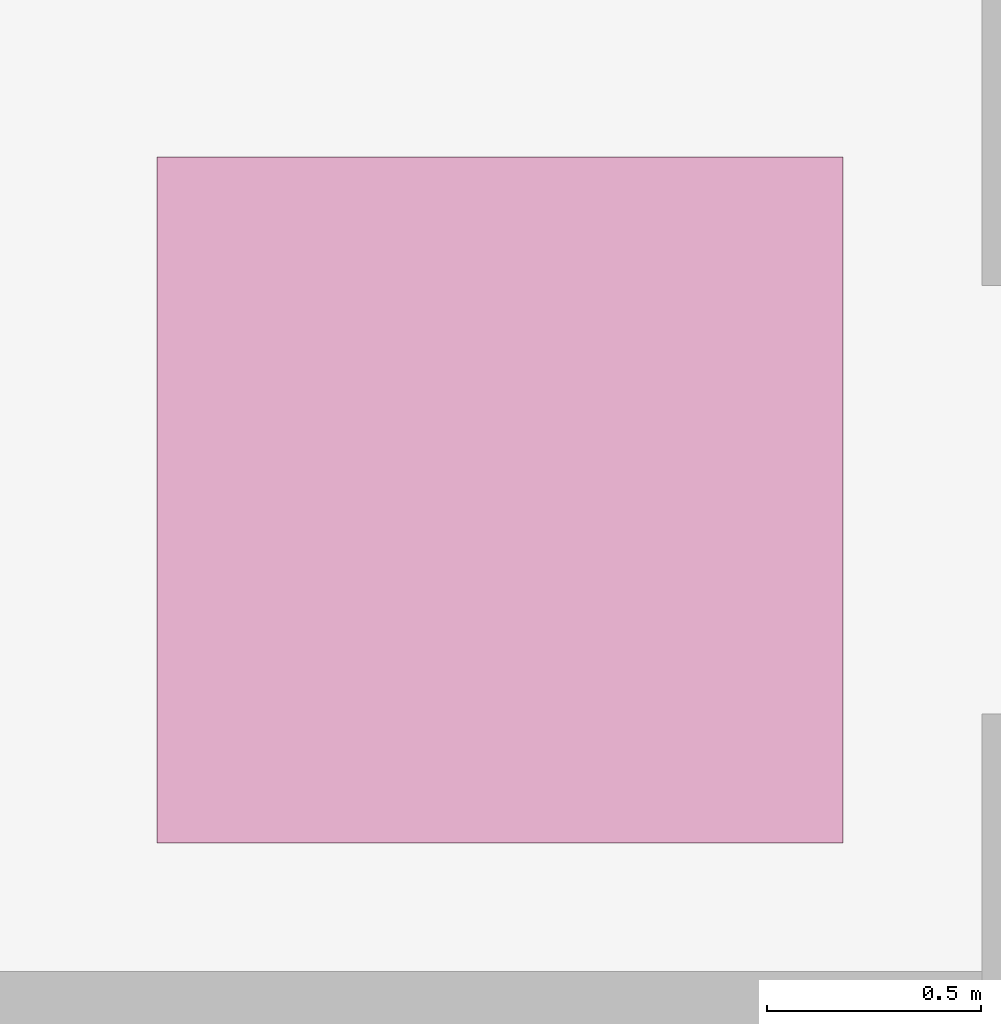
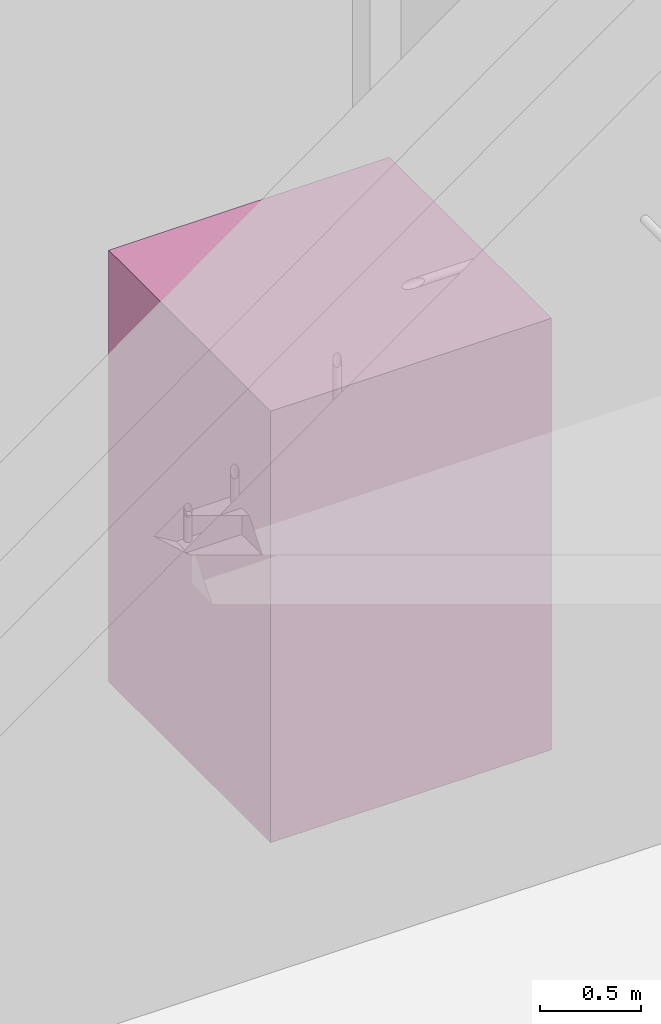
# One storey, part 119 of 119: 1 transport element.
"""IFC4 building model written with IfcOpenShell, lengths in metres."""

from ifc_helpers import new_model, si_unit, direction, frame, origin, origin_2d, place, context, subcontext, project, spatial, rectangle, extrude, material, type_object, element, save


model = new_model("IFC4")

# Units and contexts
model_context = context("Model", 3, precision=1e-05, world=origin(), true_north=direction((0.0, 1.0)))
body_context = subcontext(model_context, "Body", "Model", "MODEL_VIEW")
ifc_project = project(units=[si_unit("LENGTHUNIT", "METRE"), si_unit("AREAUNIT", "SQUARE_METRE"), si_unit("VOLUMEUNIT", "CUBIC_METRE"), si_unit("PLANEANGLEUNIT", "RADIAN"), si_unit("MASSUNIT", "GRAM", prefix="KILO")], contexts=[model_context])

# Site, building, storey
site_placement = place(None, origin())
site = spatial("IfcSite", under=ifc_project, at=site_placement, CompositionType="ELEMENT")
building_placement = place(site_placement, origin())
building = spatial("IfcBuilding", under=site, at=building_placement, Name="Zhaolan Boulevard Law Courts", CompositionType="ELEMENT")
storey_placement = place(building_placement, origin())
storey = spatial("IfcBuildingStorey", under=building, at=storey_placement, Name="L00", CompositionType="ELEMENT", Elevation=0.0)

# Transport element
ifc_material = material(Name="Brushed stainless steel 304", Category="steel")
transport_element_type = type_object("IfcTransportElementType", Name="ELEVATOR PUBLIC 1600X1600", PredefinedType="ELEVATOR", material=ifc_material)
transport_element_placement = place(storey_placement, frame((25.10009765625, 92.39990234375, 0.0), z_axis=(0.0, 0.0, 1.0), x_axis=(1.0, 0.0, 0.0)))
element("IfcTransportElement", 1, at=transport_element_placement, inside=storey, type_object=transport_element_type, Name="Elevator PL-04", PredefinedType="ELEVATOR", context=body_context, shape_type="SweptSolid", body=[
    extrude(rectangle(XDim=1.60009765625, YDim=1.60009765625, at=origin_2d()), origin(), (0.0, 0.0, 1.0), 2.60009765625),
])

save(model, "model.ifc")
